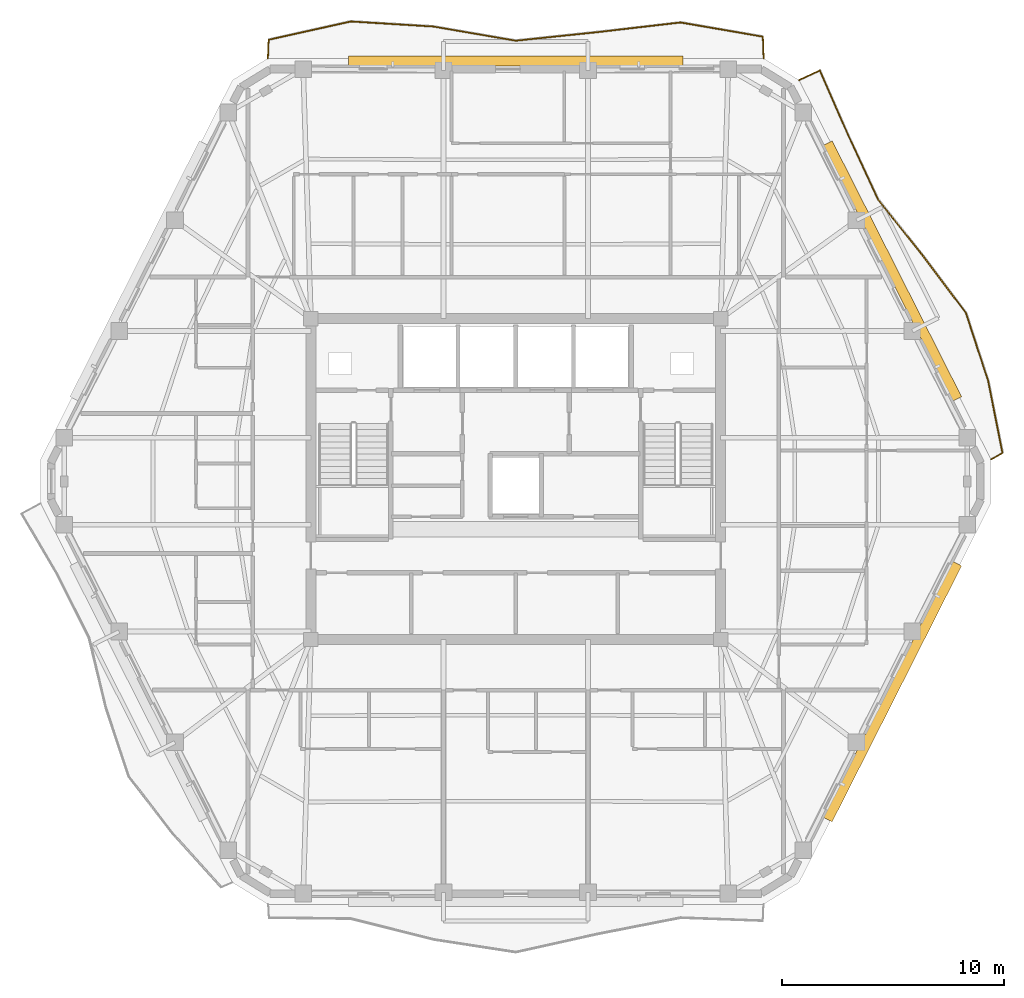
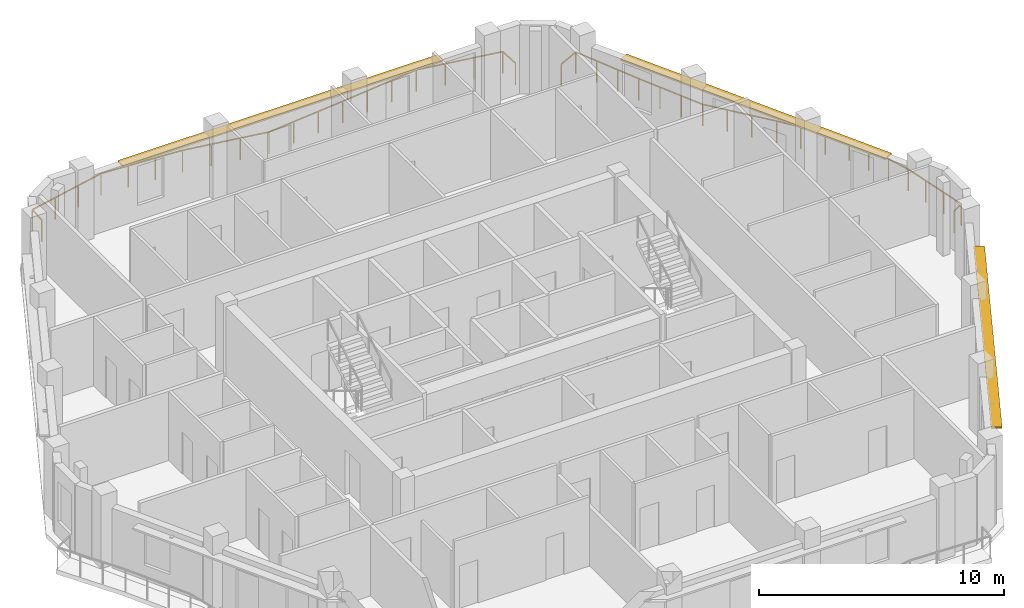
# One storey, part 11 of 11: 3 shading devices, 2 railings.
"""IFC4 building model written with IfcOpenShell, lengths in metres."""

from ifc_helpers import new_model, si_unit, direction, frame, origin, origin_2d, place, context, subcontext, project, spatial, rectangle, extrude, material, layer, layer_set, type_object, element, save


model = new_model("IFC4")

# Units and contexts
model_context = context("Model", 3, precision=1e-05, world=origin(), true_north=direction((0.0, 1.0)))
body_context = subcontext(model_context, "Body", "Model", "MODEL_VIEW")
ifc_project = project(units=[si_unit("LENGTHUNIT", "METRE"), si_unit("AREAUNIT", "SQUARE_METRE"), si_unit("VOLUMEUNIT", "CUBIC_METRE"), si_unit("PLANEANGLEUNIT", "RADIAN"), si_unit("MASSUNIT", "GRAM", prefix="KILO")], contexts=[model_context])

# Site, building, storey
site_placement = place(None, origin())
site = spatial("IfcSite", under=ifc_project, at=site_placement, CompositionType="ELEMENT")
building_placement = place(site_placement, origin())
building = spatial("IfcBuilding", under=site, at=building_placement, Name="Cinnabar Lancet Tower", CompositionType="ELEMENT")
storey_placement = place(building_placement, frame((0.0, 0.0, 245.25)))
storey = spatial("IfcBuildingStorey", under=building, at=storey_placement, Name="L65", CompositionType="ELEMENT", Elevation=245.25)

# Railings
ifc_material_1 = material(Name="Laminated safety glass and bronze stainless steel balustrade", Category="steel")
railing_type = type_object("IfcRailingType", Name="ENV-RLG-BAL-1100", PredefinedType="BALUSTRADE", material=ifc_material_1)
railing_1_placement = place(storey_placement, frame((53.802978515625, 26.781982421875, 0.0)))
element("IfcRailing", 1, at=railing_1_placement, inside=storey, type_object=railing_type, Name="L65 Face 3 Wave Balcony Balustrade", PredefinedType="BALUSTRADE", context=body_context, shape_type="SweptSolid", body=[
    extrude(rectangle(XDim=0.048095703125, YDim=0.048095703125, at=origin_2d()), frame((0.0, 0.0, 1.076171875), z_axis=(0.870363398591, 0.492409945466, 0.0), x_axis=(-0.492409945466, 0.870363398591, 0.0)), (0.0, 0.0, 1.0), 0.593017578125),
    extrude(rectangle(XDim=0.048095703125, YDim=0.048095703125, at=origin_2d()), frame((0.51611328125, 0.2919921875, 1.076171875), z_axis=(-0.194736825464, 0.980855529019, 0.0), x_axis=(-0.980855529019, -0.194736825464, 0.0)), (0.0, 0.0, 1.0), 3.30224609375),
    extrude(rectangle(XDim=0.048095703125, YDim=0.048095703125, at=origin_2d()), frame((-0.126953125, 3.531005859375, 1.076171875), z_axis=(-0.310536001873, 0.950561619013, 0.0), x_axis=(-0.950561619013, -0.310536001873, 0.0)), (0.0, 0.0, 1.0), 3.22021484375),
    extrude(rectangle(XDim=0.048095703125, YDim=0.048095703125, at=origin_2d()), frame((-1.126953125, 6.592041015625, 1.076171875), z_axis=(-0.600677115298, 0.799491715503, 0.0), x_axis=(-0.799491715503, -0.600677115298, 0.0)), (0.0, 0.0, 1.0), 3.2294921875),
    extrude(rectangle(XDim=0.048095703125, YDim=0.048095703125, at=origin_2d()), frame((-3.06689453125, 9.174072265625, 1.076171875), z_axis=(-0.622657509613, 0.78249448926, 0.0), x_axis=(-0.78249448926, -0.622657509613, 0.0)), (0.0, 0.0, 1.0), 3.247314453125),
    extrude(rectangle(XDim=0.048095703125, YDim=0.048095703125, at=origin_2d()), frame((-5.0888671875, 11.715087890625, 1.076171875), z_axis=(-0.421424374716, 0.906863548939, 0.0), x_axis=(-0.906863548939, -0.421424374716, 0.0)), (0.0, 0.0, 1.0), 3.1845703125),
    extrude(rectangle(XDim=0.048095703125, YDim=0.048095703125, at=origin_2d()), frame((-6.430908203125, 14.60302734375, 1.076171875), z_axis=(-0.400609913008, 0.916248709467, 0.0), x_axis=(-0.916248709467, -0.400609913008, 0.0)), (0.0, 0.0, 1.0), 3.18798828125),
    extrude(rectangle(XDim=0.048095703125, YDim=0.048095703125, at=origin_2d()), frame((-7.7080078125, 17.52392578125, 1.076171875), z_axis=(-0.905407772911, -0.424543006953, 0.0), x_axis=(0.424543006953, -0.905407772911, 0.0)), (0.0, 0.0, 1.0), 1.03173828125),
    extrude(rectangle(XDim=0.0419921875, YDim=0.0419921875, at=origin_2d()), origin(), (0.0, 0.0, 1.0), 1.052001953125),
    extrude(rectangle(XDim=0.0419921875, YDim=0.0419921875, at=origin_2d()), frame((0.51611328125, 0.2919921875, 0.0)), (0.0, 0.0, 1.0), 1.052001953125),
    extrude(rectangle(XDim=0.0419921875, YDim=0.0419921875, at=origin_2d()), frame((0.3017578125, 1.37158203125, 0.0)), (0.0, 0.0, 1.0), 1.052001953125),
    extrude(rectangle(XDim=0.0419921875, YDim=0.0419921875, at=origin_2d()), frame((0.08740234375, 2.451416015625, 0.0)), (0.0, 0.0, 1.0), 1.052001953125),
    extrude(rectangle(XDim=0.0419921875, YDim=0.0419921875, at=origin_2d()), frame((-0.126953125, 3.531005859375, 0.0)), (0.0, 0.0, 1.0), 1.052001953125),
    extrude(rectangle(XDim=0.0419921875, YDim=0.0419921875, at=origin_2d()), frame((-0.460205078125, 4.55126953125, 0.0)), (0.0, 0.0, 1.0), 1.052001953125),
    extrude(rectangle(XDim=0.0419921875, YDim=0.0419921875, at=origin_2d()), frame((-0.793701171875, 5.57177734375, 0.0)), (0.0, 0.0, 1.0), 1.052001953125),
    extrude(rectangle(XDim=0.0419921875, YDim=0.0419921875, at=origin_2d()), frame((-1.126953125, 6.592041015625, 0.0)), (0.0, 0.0, 1.0), 1.052001953125),
    extrude(rectangle(XDim=0.0419921875, YDim=0.0419921875, at=origin_2d()), frame((-1.773681640625, 7.45263671875, 0.0)), (0.0, 0.0, 1.0), 1.052001953125),
    extrude(rectangle(XDim=0.0419921875, YDim=0.0419921875, at=origin_2d()), frame((-2.420166015625, 8.3134765625, 0.0)), (0.0, 0.0, 1.0), 1.052001953125),
    extrude(rectangle(XDim=0.0419921875, YDim=0.0419921875, at=origin_2d()), frame((-3.06689453125, 9.174072265625, 0.0)), (0.0, 0.0, 1.0), 1.052001953125),
    extrude(rectangle(XDim=0.0419921875, YDim=0.0419921875, at=origin_2d()), frame((-3.740966796875, 10.02099609375, 0.0)), (0.0, 0.0, 1.0), 1.052001953125),
    extrude(rectangle(XDim=0.0419921875, YDim=0.0419921875, at=origin_2d()), frame((-4.414794921875, 10.8681640625, 0.0)), (0.0, 0.0, 1.0), 1.052001953125),
    extrude(rectangle(XDim=0.0419921875, YDim=0.0419921875, at=origin_2d()), frame((-5.0888671875, 11.715087890625, 0.0)), (0.0, 0.0, 1.0), 1.052001953125),
    extrude(rectangle(XDim=0.0419921875, YDim=0.0419921875, at=origin_2d()), frame((-5.5361328125, 12.677734375, 0.0)), (0.0, 0.0, 1.0), 1.052001953125),
    extrude(rectangle(XDim=0.0419921875, YDim=0.0419921875, at=origin_2d()), frame((-5.983642578125, 13.640380859375, 0.0)), (0.0, 0.0, 1.0), 1.052001953125),
    extrude(rectangle(XDim=0.0419921875, YDim=0.0419921875, at=origin_2d()), frame((-6.430908203125, 14.60302734375, 0.0)), (0.0, 0.0, 1.0), 1.052001953125),
    extrude(rectangle(XDim=0.0419921875, YDim=0.0419921875, at=origin_2d()), frame((-6.856689453125, 15.57666015625, 0.0)), (0.0, 0.0, 1.0), 1.052001953125),
    extrude(rectangle(XDim=0.0419921875, YDim=0.0419921875, at=origin_2d()), frame((-7.2822265625, 16.55029296875, 0.0)), (0.0, 0.0, 1.0), 1.052001953125),
    extrude(rectangle(XDim=0.0419921875, YDim=0.0419921875, at=origin_2d()), frame((-7.7080078125, 17.52392578125, 0.0)), (0.0, 0.0, 1.0), 1.052001953125),
    extrude(rectangle(XDim=0.0419921875, YDim=0.0419921875, at=origin_2d()), frame((-8.64208984375, 17.0859375, 0.0)), (0.0, 0.0, 1.0), 1.052001953125),
])
railing_2_placement = place(storey_placement, frame((43.56396484375, 44.85009765625, 0.0)))
element("IfcRailing", 2, at=railing_2_placement, inside=storey, type_object=railing_type, Name="L65 Face 4 Wave Balcony Balustrade", PredefinedType="BALUSTRADE", context=body_context, shape_type="SweptSolid", body=[
    extrude(rectangle(XDim=0.048095703125, YDim=0.048095703125, at=origin_2d()), frame((0.0, 0.0, 1.076171875), z_axis=(-0.034789846321, 0.999394650072, 0.0), x_axis=(-0.999394650072, -0.034789846321, 0.0)), (0.0, 0.0, 1.0), 0.975341796875),
    extrude(rectangle(XDim=0.048095703125, YDim=0.048095703125, at=origin_2d()), frame((-0.033935546875, 0.974853515625, 1.076171875), z_axis=(-0.985445888188, 0.169989415712, 0.0), x_axis=(-0.169989415712, -0.985445888188, 0.0)), (0.0, 0.0, 1.0), 3.765625),
    extrude(rectangle(XDim=0.048095703125, YDim=0.048095703125, at=origin_2d()), frame((-3.744873046875, 1.614990234375, 1.076171875), z_axis=(-0.993289061836, -0.115658288234, 0.0), x_axis=(0.115658288234, -0.993289061836, 0.0)), (0.0, 0.0, 1.0), 3.736328125),
    extrude(rectangle(XDim=0.048095703125, YDim=0.048095703125, at=origin_2d()), frame((-7.4560546875, 1.182861328125, 1.076171875), z_axis=(-0.994517286863, -0.104572300969, 0.0), x_axis=(0.104572300969, -0.994517286863, 0.0)), (0.0, 0.0, 1.0), 3.728515625),
    extrude(rectangle(XDim=0.048095703125, YDim=0.048095703125, at=origin_2d()), frame((-11.1640625, 0.79296875, 1.076171875), z_axis=(-0.985485198545, 0.169761372077, 0.0), x_axis=(-0.169761372077, -0.985485198545, 0.0)), (0.0, 0.0, 1.0), 3.763671875),
    extrude(rectangle(XDim=0.048095703125, YDim=0.048095703125, at=origin_2d()), frame((-14.873046875, 1.431884765625, 1.076171875), z_axis=(-0.998116451468, 0.061347773471, 0.0), x_axis=(-0.061347773471, -0.998116451468, 0.0)), (0.0, 0.0, 1.0), 3.717041015625),
    extrude(rectangle(XDim=0.048095703125, YDim=0.048095703125, at=origin_2d()), frame((-18.5830078125, 1.659912109375, 1.076171875), z_axis=(-0.976224824979, -0.216760446336, 0.0), x_axis=(0.216760446336, -0.976224824979, 0.0)), (0.0, 0.0, 1.0), 3.80126953125),
    extrude(rectangle(XDim=0.048095703125, YDim=0.048095703125, at=origin_2d()), frame((-22.2939453125, 0.8359375, 1.076171875), z_axis=(-0.040562384372, -0.999177007829, 0.0), x_axis=(0.999177007829, -0.040562384372, 0.0)), (0.0, 0.0, 1.0), 0.836669921875),
    extrude(rectangle(XDim=0.0419921875, YDim=0.0419921875, at=origin_2d()), origin(), (0.0, 0.0, 1.0), 1.052001953125),
    extrude(rectangle(XDim=0.0419921875, YDim=0.0419921875, at=origin_2d()), frame((-0.033935546875, 0.974853515625, 0.0)), (0.0, 0.0, 1.0), 1.052001953125),
    extrude(rectangle(XDim=0.0419921875, YDim=0.0419921875, at=origin_2d()), frame((-1.27099609375, 1.188232421875, 0.0)), (0.0, 0.0, 1.0), 1.052001953125),
    extrude(rectangle(XDim=0.0419921875, YDim=0.0419921875, at=origin_2d()), frame((-2.5078125, 1.401611328125, 0.0)), (0.0, 0.0, 1.0), 1.052001953125),
    extrude(rectangle(XDim=0.0419921875, YDim=0.0419921875, at=origin_2d()), frame((-3.744873046875, 1.614990234375, 0.0)), (0.0, 0.0, 1.0), 1.052001953125),
    extrude(rectangle(XDim=0.0419921875, YDim=0.0419921875, at=origin_2d()), frame((-4.98193359375, 1.470947265625, 0.0)), (0.0, 0.0, 1.0), 1.052001953125),
    extrude(rectangle(XDim=0.0419921875, YDim=0.0419921875, at=origin_2d()), frame((-6.218994140625, 1.326904296875, 0.0)), (0.0, 0.0, 1.0), 1.052001953125),
    extrude(rectangle(XDim=0.0419921875, YDim=0.0419921875, at=origin_2d()), frame((-7.4560546875, 1.182861328125, 0.0)), (0.0, 0.0, 1.0), 1.052001953125),
    extrude(rectangle(XDim=0.0419921875, YDim=0.0419921875, at=origin_2d()), frame((-8.692138671875, 1.052978515625, 0.0)), (0.0, 0.0, 1.0), 1.052001953125),
    extrude(rectangle(XDim=0.0419921875, YDim=0.0419921875, at=origin_2d()), frame((-9.927978515625, 0.9228515625, 0.0)), (0.0, 0.0, 1.0), 1.052001953125),
    extrude(rectangle(XDim=0.0419921875, YDim=0.0419921875, at=origin_2d()), frame((-11.1640625, 0.79296875, 0.0)), (0.0, 0.0, 1.0), 1.052001953125),
    extrude(rectangle(XDim=0.0419921875, YDim=0.0419921875, at=origin_2d()), frame((-12.400390625, 1.005859375, 0.0)), (0.0, 0.0, 1.0), 1.052001953125),
    extrude(rectangle(XDim=0.0419921875, YDim=0.0419921875, at=origin_2d()), frame((-13.63671875, 1.218994140625, 0.0)), (0.0, 0.0, 1.0), 1.052001953125),
    extrude(rectangle(XDim=0.0419921875, YDim=0.0419921875, at=origin_2d()), frame((-14.873046875, 1.431884765625, 0.0)), (0.0, 0.0, 1.0), 1.052001953125),
    extrude(rectangle(XDim=0.0419921875, YDim=0.0419921875, at=origin_2d()), frame((-16.109619140625, 1.5078125, 0.0)), (0.0, 0.0, 1.0), 1.052001953125),
    extrude(rectangle(XDim=0.0419921875, YDim=0.0419921875, at=origin_2d()), frame((-17.346435546875, 1.583984375, 0.0)), (0.0, 0.0, 1.0), 1.052001953125),
    extrude(rectangle(XDim=0.0419921875, YDim=0.0419921875, at=origin_2d()), frame((-18.5830078125, 1.659912109375, 0.0)), (0.0, 0.0, 1.0), 1.052001953125),
    extrude(rectangle(XDim=0.0419921875, YDim=0.0419921875, at=origin_2d()), frame((-19.820068359375, 1.38525390625, 0.0)), (0.0, 0.0, 1.0), 1.052001953125),
    extrude(rectangle(XDim=0.0419921875, YDim=0.0419921875, at=origin_2d()), frame((-21.056884765625, 1.110595703125, 0.0)), (0.0, 0.0, 1.0), 1.052001953125),
    extrude(rectangle(XDim=0.0419921875, YDim=0.0419921875, at=origin_2d()), frame((-22.2939453125, 0.8359375, 0.0)), (0.0, 0.0, 1.0), 1.052001953125),
    extrude(rectangle(XDim=0.0419921875, YDim=0.0419921875, at=origin_2d()), frame((-22.327880859375, 0.0, 0.0)), (0.0, 0.0, 1.0), 1.052001953125),
])

# Shading devices
ifc_material_2 = material(Name="Pale limestone architectural aluminium sunshade", Category="masonry")
ifc_layer = layer(ifc_material_2, 0.080078125)
ifc_layer_set = layer_set([ifc_layer], Name="Pale limestone architectural aluminium sunshade")
shading_device_type = type_object("IfcShadingDeviceType", Name="ENV-SHD-LVR-450", PredefinedType="JALOUSIE", material=ifc_layer_set)
for number, where, z_axis, x_axis, name in (
    (3, (49.364013671875, 16.330078125, 2.639892578125), (0.0, 0.0, 1.0), (0.451375984307, 0.89233386173, 0.0), "L65 Face 2 Horizontal Sunshade Canopy"),
    (4, (49.364013671875, 35.27001953125, 2.639892578125), (0.0, 0.0, 1.0), (-0.451375984307, 0.89233386173, 0.0), "L65 Face 3 Horizontal Sunshade Canopy"),
):
    element("IfcShadingDevice", number, at=place(storey_placement, frame(where, z_axis=z_axis, x_axis=x_axis)), inside=storey, type_object=shading_device_type, Name=name, PredefinedType="JALOUSIE", context=body_context, shape_type="SweptSolid", body=[
        extrude(rectangle(XDim=12.912109375, YDim=0.449951171875, at=origin_2d()), origin(), (0.0, 0.0, 1.0), 0.080078125),
    ])
shading_device_placement = place(storey_placement, frame((32.39990234375, 44.719970703125, 2.639892578125), z_axis=(0.0, 0.0, 1.0), x_axis=(-1.0, 0.0, 0.0)))
element("IfcShadingDevice", 5, at=shading_device_placement, inside=storey, type_object=shading_device_type, Name="L65 Face 4 Horizontal Sunshade Canopy", PredefinedType="JALOUSIE", context=body_context, shape_type="SweptSolid", body=[
    extrude(rectangle(XDim=15.06103515625, YDim=0.449951171875, at=origin_2d()), origin(), (0.0, 0.0, 1.0), 0.080078125),
])

save(model, "model.ifc")
